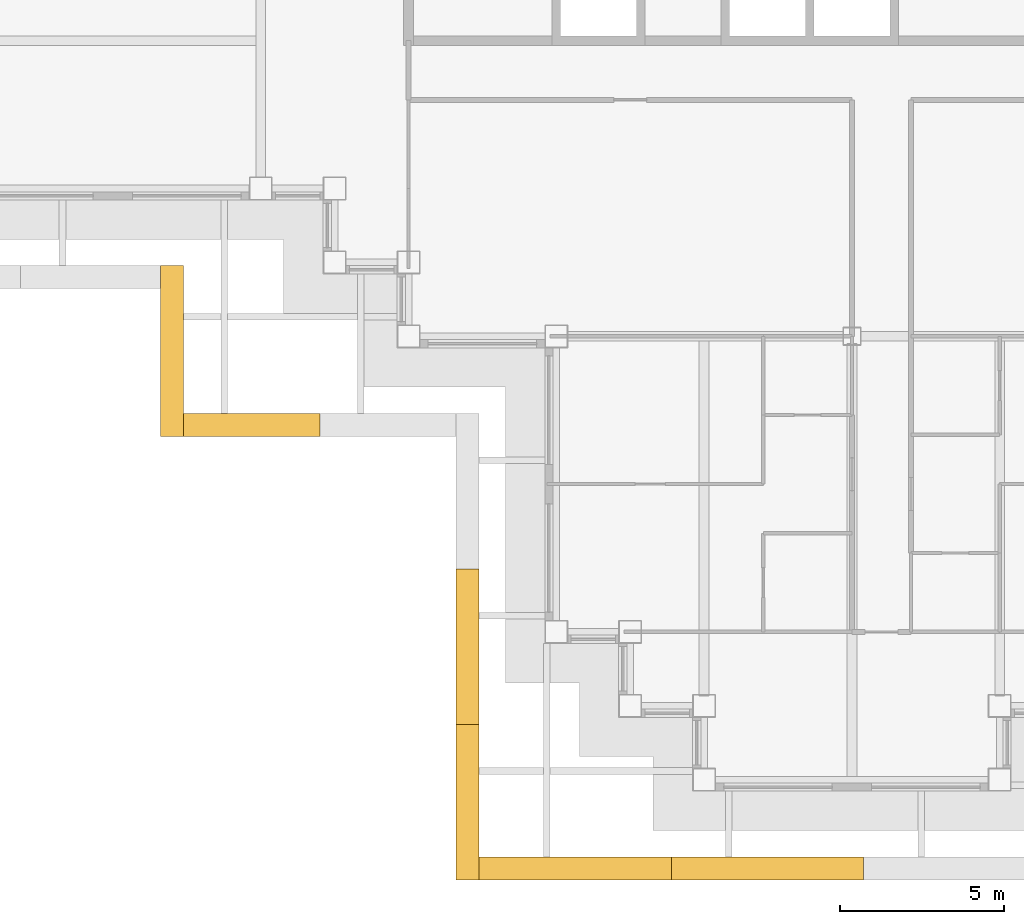
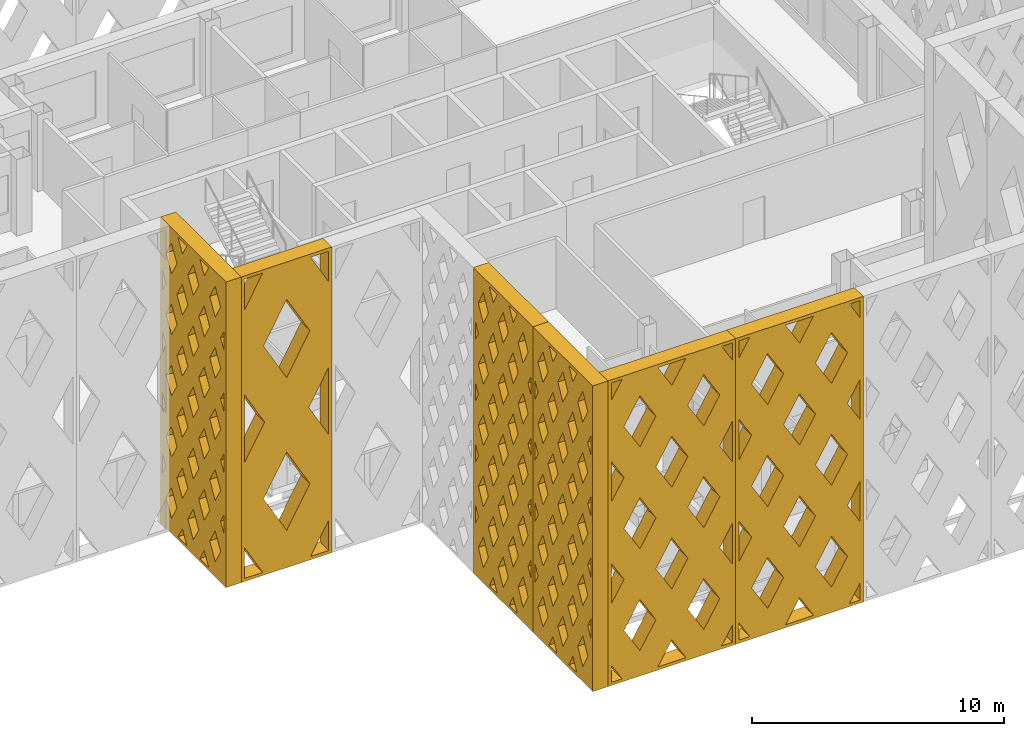
# One storey, part 10 of 16: 6 shading devices.
"""IFC4 building model written with IfcOpenShell, lengths in metres."""

from ifc_helpers import new_model, si_unit, direction, frame, origin, place, context, subcontext, project, spatial, polyline, outline, extrude, material, type_object, element, save


model = new_model("IFC4")

# Units and contexts
model_context = context("Model", 3, precision=1e-05, world=origin(), true_north=direction((0.0, 1.0)))
body_context = subcontext(model_context, "Body", "Model", "MODEL_VIEW")
ifc_project = project(units=[si_unit("LENGTHUNIT", "METRE"), si_unit("AREAUNIT", "SQUARE_METRE"), si_unit("VOLUMEUNIT", "CUBIC_METRE"), si_unit("PLANEANGLEUNIT", "RADIAN"), si_unit("MASSUNIT", "GRAM", prefix="KILO")], contexts=[model_context])

# Site, building, storey
site_placement = place(None, origin())
site = spatial("IfcSite", under=ifc_project, at=site_placement, CompositionType="ELEMENT")
building_placement = place(site_placement, origin())
building = spatial("IfcBuilding", under=site, at=building_placement, Name="Caravel Reach Hotel and Residences", CompositionType="ELEMENT")
storey_placement = place(building_placement, frame((0.0, 0.0, 207.199951171875)))
storey = spatial("IfcBuildingStorey", under=building, at=storey_placement, Name="L52", CompositionType="ELEMENT", Elevation=207.199951171875)

# Shading devices
ifc_material_1 = material(Name="Black powder-coated aluminium", Category="aluminium")
shading_device_type_1 = type_object("IfcShadingDeviceType", Name="Diamond lattice screen panel 4150 x 14800", PredefinedType="USERDEFINED", material=ifc_material_1)
shading_device_1_placement = place(storey_placement, frame((11.14990234375, 11.14990234375, 0.0), z_axis=(0.0, -1.0, 0.0), x_axis=(1.0, 0.0, 0.0)))
element("IfcShadingDevice", 1, at=shading_device_1_placement, inside=storey, type_object=shading_device_type_1, Name="Lattice screen L52-L55 10.1", ObjectType="SCREEN", PredefinedType="USERDEFINED", context=body_context, shape_type="SweptSolid", body=[
    extrude(outline(polyline([(0.0, 0.0), (4.14990234375, 0.0), (4.14990234375, 14.800048828125), (0.0, 14.800048828125), (0.0, 0.0)]), holes=[polyline([(0.97998046875, 0.14990234375), (0.14990234375, 1.6298828125), (0.14990234375, 0.14990234375), (0.97998046875, 0.14990234375)]), polyline([(1.06396484375, 7.39990234375), (0.14990234375, 9.030029296875), (0.14990234375, 5.77001953125), (1.06396484375, 7.39990234375)]), polyline([(0.14990234375, 13.170166015625), (0.97998046875, 14.64990234375), (0.14990234375, 14.64990234375), (0.14990234375, 13.170166015625)]), polyline([(2.074951171875, 5.597412109375), (1.010986328125, 3.699951171875), (2.074951171875, 1.802490234375), (3.13916015625, 3.699951171875), (2.074951171875, 5.597412109375)]), polyline([(2.074951171875, 12.997314453125), (1.010986328125, 11.10009765625), (2.074951171875, 9.20263671875), (3.13916015625, 11.10009765625), (2.074951171875, 12.997314453125)]), polyline([(4.0, 1.6298828125), (3.169921875, 0.14990234375), (4.0, 0.14990234375), (4.0, 1.6298828125)]), polyline([(3.0859375, 7.39990234375), (4.0, 5.77001953125), (4.0, 9.030029296875), (3.0859375, 7.39990234375)]), polyline([(3.169921875, 14.64990234375), (4.0, 13.170166015625), (4.0, 14.64990234375), (3.169921875, 14.64990234375)])]), origin(), (0.0, 0.0, 1.0), 0.699951171875),
])
ifc_material_2 = material(Name="Black powder-coated aluminium", Category="aluminium")
shading_device_type_2 = type_object("IfcShadingDeviceType", Name="Diamond lattice screen panel 4733 x 14800", PredefinedType="USERDEFINED", material=ifc_material_2)
shading_device_2_placement = place(storey_placement, frame((20.14990234375, 6.416748046875, 0.0), z_axis=(-1.0, 0.0, 0.0), x_axis=(0.0, -1.0, 0.0)))
element("IfcShadingDevice", 2, at=shading_device_2_placement, inside=storey, type_object=shading_device_type_2, Name="Lattice screen L52-L55 11.2", ObjectType="SCREEN", PredefinedType="USERDEFINED", context=body_context, shape_type="SweptSolid", body=[
    extrude(outline(polyline([(0.0, 0.0), (4.7333984375, 0.0), (4.7333984375, 14.800048828125), (0.0, 14.800048828125), (0.0, 0.0)]), holes=[polyline([(0.398681640625, 2.9599609375), (0.14990234375, 3.4267578125), (0.14990234375, 2.493408203125), (0.398681640625, 2.9599609375)]), polyline([(0.398681640625, 5.919921875), (0.14990234375, 6.38671875), (0.14990234375, 5.453369140625), (0.398681640625, 5.919921875)]), polyline([(0.398681640625, 8.8798828125), (0.14990234375, 9.3466796875), (0.14990234375, 8.413330078125), (0.398681640625, 8.8798828125)]), polyline([(0.398681640625, 11.840087890625), (0.14990234375, 12.306640625), (0.14990234375, 11.373291015625), (0.398681640625, 11.840087890625)]), polyline([(0.788818359375, 2.22802734375), (0.39013671875, 1.47998046875), (0.788818359375, 0.73193359375), (1.187744140625, 1.47998046875), (0.788818359375, 2.22802734375)]), polyline([(0.788818359375, 5.18798828125), (0.39013671875, 4.43994140625), (0.788818359375, 3.69189453125), (1.187744140625, 4.43994140625), (0.788818359375, 5.18798828125)]), polyline([(0.788818359375, 8.14794921875), (0.39013671875, 7.39990234375), (0.788818359375, 6.65185546875), (1.187744140625, 7.39990234375), (0.788818359375, 8.14794921875)]), polyline([(0.788818359375, 11.108154296875), (0.39013671875, 10.360107421875), (0.788818359375, 9.612060546875), (1.187744140625, 10.360107421875), (0.788818359375, 11.108154296875)]), polyline([(0.788818359375, 14.068115234375), (0.39013671875, 13.320068359375), (0.788818359375, 12.572021484375), (1.187744140625, 13.320068359375), (0.788818359375, 14.068115234375)]), polyline([(1.577880859375, 0.748046875), (1.259033203125, 0.14990234375), (1.896484375, 0.14990234375), (1.577880859375, 0.748046875)]), polyline([(1.577880859375, 3.7080078125), (1.178955078125, 2.9599609375), (1.577880859375, 2.2119140625), (1.9765625, 2.9599609375), (1.577880859375, 3.7080078125)]), polyline([(1.577880859375, 6.66796875), (1.178955078125, 5.919921875), (1.577880859375, 5.171875), (1.9765625, 5.919921875), (1.577880859375, 6.66796875)]), polyline([(1.577880859375, 9.6279296875), (1.178955078125, 8.8798828125), (1.577880859375, 8.1318359375), (1.9765625, 8.8798828125), (1.577880859375, 9.6279296875)]), polyline([(1.577880859375, 12.588134765625), (1.178955078125, 11.840087890625), (1.577880859375, 11.092041015625), (1.9765625, 11.840087890625), (1.577880859375, 12.588134765625)]), polyline([(1.577880859375, 14.052001953125), (1.896484375, 14.64990234375), (1.259033203125, 14.64990234375), (1.577880859375, 14.052001953125)]), polyline([(2.36669921875, 2.22802734375), (1.968017578125, 1.47998046875), (2.36669921875, 0.73193359375), (2.765380859375, 1.47998046875), (2.36669921875, 2.22802734375)]), polyline([(2.36669921875, 5.18798828125), (1.968017578125, 4.43994140625), (2.36669921875, 3.69189453125), (2.765380859375, 4.43994140625), (2.36669921875, 5.18798828125)]), polyline([(2.36669921875, 8.14794921875), (1.968017578125, 7.39990234375), (2.36669921875, 6.65185546875), (2.765380859375, 7.39990234375), (2.36669921875, 8.14794921875)]), polyline([(2.36669921875, 11.108154296875), (1.968017578125, 10.360107421875), (2.36669921875, 9.612060546875), (2.765380859375, 10.360107421875), (2.36669921875, 11.108154296875)]), polyline([(2.36669921875, 14.068115234375), (1.968017578125, 13.320068359375), (2.36669921875, 12.572021484375), (2.765380859375, 13.320068359375), (2.36669921875, 14.068115234375)]), polyline([(3.155517578125, 0.748046875), (2.836669921875, 0.14990234375), (3.474365234375, 0.14990234375), (3.155517578125, 0.748046875)]), polyline([(3.155517578125, 3.7080078125), (2.7568359375, 2.9599609375), (3.155517578125, 2.2119140625), (3.55419921875, 2.9599609375), (3.155517578125, 3.7080078125)]), polyline([(3.155517578125, 6.66796875), (2.7568359375, 5.919921875), (3.155517578125, 5.171875), (3.55419921875, 5.919921875), (3.155517578125, 6.66796875)]), polyline([(3.155517578125, 9.6279296875), (2.7568359375, 8.8798828125), (3.155517578125, 8.1318359375), (3.55419921875, 8.8798828125), (3.155517578125, 9.6279296875)]), polyline([(3.155517578125, 12.588134765625), (2.7568359375, 11.840087890625), (3.155517578125, 11.092041015625), (3.55419921875, 11.840087890625), (3.155517578125, 12.588134765625)]), polyline([(3.155517578125, 14.052001953125), (3.474365234375, 14.64990234375), (2.836669921875, 14.64990234375), (3.155517578125, 14.052001953125)]), polyline([(3.9443359375, 2.22802734375), (3.545654296875, 1.47998046875), (3.9443359375, 0.73193359375), (4.34326171875, 1.47998046875), (3.9443359375, 2.22802734375)]), polyline([(3.9443359375, 5.18798828125), (3.545654296875, 4.43994140625), (3.9443359375, 3.69189453125), (4.34326171875, 4.43994140625), (3.9443359375, 5.18798828125)]), polyline([(3.9443359375, 8.14794921875), (3.545654296875, 7.39990234375), (3.9443359375, 6.65185546875), (4.34326171875, 7.39990234375), (3.9443359375, 8.14794921875)]), polyline([(3.9443359375, 11.108154296875), (3.545654296875, 10.360107421875), (3.9443359375, 9.612060546875), (4.34326171875, 10.360107421875), (3.9443359375, 11.108154296875)]), polyline([(3.9443359375, 14.068115234375), (3.545654296875, 13.320068359375), (3.9443359375, 12.572021484375), (4.34326171875, 13.320068359375), (3.9443359375, 14.068115234375)]), polyline([(4.334716796875, 2.9599609375), (4.583251953125, 2.493408203125), (4.583251953125, 3.4267578125), (4.334716796875, 2.9599609375)]), polyline([(4.334716796875, 5.919921875), (4.583251953125, 5.453369140625), (4.583251953125, 6.38671875), (4.334716796875, 5.919921875)]), polyline([(4.334716796875, 8.8798828125), (4.583251953125, 8.413330078125), (4.583251953125, 9.3466796875), (4.334716796875, 8.8798828125)]), polyline([(4.334716796875, 11.840087890625), (4.583251953125, 11.373291015625), (4.583251953125, 12.306640625), (4.334716796875, 11.840087890625)])]), origin(), (0.0, 0.0, 1.0), 0.699951171875),
])
shading_device_3_placement = place(storey_placement, frame((20.14990234375, 1.683349609375, 0.0), z_axis=(-1.0, 0.0, 0.0), x_axis=(0.0, -1.0, 0.0)))
element("IfcShadingDevice", 3, at=shading_device_3_placement, inside=storey, type_object=shading_device_type_2, Name="Lattice screen L52-L55 11.3", ObjectType="SCREEN", PredefinedType="USERDEFINED", context=body_context, shape_type="SweptSolid", body=[
    extrude(outline(polyline([(0.0, 0.0), (4.7333984375, 0.0), (4.7333984375, 14.800048828125), (0.0, 14.800048828125), (0.0, 0.0)]), holes=[polyline([(0.398681640625, 2.9599609375), (0.14990234375, 3.4267578125), (0.14990234375, 2.493408203125), (0.398681640625, 2.9599609375)]), polyline([(0.398681640625, 5.919921875), (0.14990234375, 6.38671875), (0.14990234375, 5.453369140625), (0.398681640625, 5.919921875)]), polyline([(0.398681640625, 8.8798828125), (0.14990234375, 9.3466796875), (0.14990234375, 8.413330078125), (0.398681640625, 8.8798828125)]), polyline([(0.398681640625, 11.840087890625), (0.14990234375, 12.306640625), (0.14990234375, 11.373291015625), (0.398681640625, 11.840087890625)]), polyline([(0.788818359375, 2.22802734375), (0.39013671875, 1.47998046875), (0.788818359375, 0.73193359375), (1.187744140625, 1.47998046875), (0.788818359375, 2.22802734375)]), polyline([(0.788818359375, 5.18798828125), (0.39013671875, 4.43994140625), (0.788818359375, 3.69189453125), (1.187744140625, 4.43994140625), (0.788818359375, 5.18798828125)]), polyline([(0.788818359375, 8.14794921875), (0.39013671875, 7.39990234375), (0.788818359375, 6.65185546875), (1.187744140625, 7.39990234375), (0.788818359375, 8.14794921875)]), polyline([(0.788818359375, 11.108154296875), (0.39013671875, 10.360107421875), (0.788818359375, 9.612060546875), (1.187744140625, 10.360107421875), (0.788818359375, 11.108154296875)]), polyline([(0.788818359375, 14.068115234375), (0.39013671875, 13.320068359375), (0.788818359375, 12.572021484375), (1.187744140625, 13.320068359375), (0.788818359375, 14.068115234375)]), polyline([(1.577880859375, 0.748046875), (1.259033203125, 0.14990234375), (1.896484375, 0.14990234375), (1.577880859375, 0.748046875)]), polyline([(1.577880859375, 3.7080078125), (1.178955078125, 2.9599609375), (1.577880859375, 2.2119140625), (1.9765625, 2.9599609375), (1.577880859375, 3.7080078125)]), polyline([(1.577880859375, 6.66796875), (1.178955078125, 5.919921875), (1.577880859375, 5.171875), (1.9765625, 5.919921875), (1.577880859375, 6.66796875)]), polyline([(1.577880859375, 9.6279296875), (1.178955078125, 8.8798828125), (1.577880859375, 8.1318359375), (1.9765625, 8.8798828125), (1.577880859375, 9.6279296875)]), polyline([(1.577880859375, 12.588134765625), (1.178955078125, 11.840087890625), (1.577880859375, 11.092041015625), (1.9765625, 11.840087890625), (1.577880859375, 12.588134765625)]), polyline([(1.577880859375, 14.052001953125), (1.896484375, 14.64990234375), (1.259033203125, 14.64990234375), (1.577880859375, 14.052001953125)]), polyline([(2.36669921875, 2.22802734375), (1.968017578125, 1.47998046875), (2.36669921875, 0.73193359375), (2.765380859375, 1.47998046875), (2.36669921875, 2.22802734375)]), polyline([(2.36669921875, 5.18798828125), (1.968017578125, 4.43994140625), (2.36669921875, 3.69189453125), (2.765380859375, 4.43994140625), (2.36669921875, 5.18798828125)]), polyline([(2.36669921875, 8.14794921875), (1.968017578125, 7.39990234375), (2.36669921875, 6.65185546875), (2.765380859375, 7.39990234375), (2.36669921875, 8.14794921875)]), polyline([(2.36669921875, 11.108154296875), (1.968017578125, 10.360107421875), (2.36669921875, 9.612060546875), (2.765380859375, 10.360107421875), (2.36669921875, 11.108154296875)]), polyline([(2.36669921875, 14.068115234375), (1.968017578125, 13.320068359375), (2.36669921875, 12.572021484375), (2.765380859375, 13.320068359375), (2.36669921875, 14.068115234375)]), polyline([(3.155517578125, 0.748046875), (2.836669921875, 0.14990234375), (3.474365234375, 0.14990234375), (3.155517578125, 0.748046875)]), polyline([(3.155517578125, 3.7080078125), (2.7568359375, 2.9599609375), (3.155517578125, 2.2119140625), (3.55419921875, 2.9599609375), (3.155517578125, 3.7080078125)]), polyline([(3.155517578125, 6.66796875), (2.7568359375, 5.919921875), (3.155517578125, 5.171875), (3.55419921875, 5.919921875), (3.155517578125, 6.66796875)]), polyline([(3.155517578125, 9.6279296875), (2.7568359375, 8.8798828125), (3.155517578125, 8.1318359375), (3.55419921875, 8.8798828125), (3.155517578125, 9.6279296875)]), polyline([(3.155517578125, 12.588134765625), (2.7568359375, 11.840087890625), (3.155517578125, 11.092041015625), (3.55419921875, 11.840087890625), (3.155517578125, 12.588134765625)]), polyline([(3.155517578125, 14.052001953125), (3.474365234375, 14.64990234375), (2.836669921875, 14.64990234375), (3.155517578125, 14.052001953125)]), polyline([(3.9443359375, 2.22802734375), (3.545654296875, 1.47998046875), (3.9443359375, 0.73193359375), (4.34326171875, 1.47998046875), (3.9443359375, 2.22802734375)]), polyline([(3.9443359375, 5.18798828125), (3.545654296875, 4.43994140625), (3.9443359375, 3.69189453125), (4.34326171875, 4.43994140625), (3.9443359375, 5.18798828125)]), polyline([(3.9443359375, 8.14794921875), (3.545654296875, 7.39990234375), (3.9443359375, 6.65185546875), (4.34326171875, 7.39990234375), (3.9443359375, 8.14794921875)]), polyline([(3.9443359375, 11.108154296875), (3.545654296875, 10.360107421875), (3.9443359375, 9.612060546875), (4.34326171875, 10.360107421875), (3.9443359375, 11.108154296875)]), polyline([(3.9443359375, 14.068115234375), (3.545654296875, 13.320068359375), (3.9443359375, 12.572021484375), (4.34326171875, 13.320068359375), (3.9443359375, 14.068115234375)]), polyline([(4.334716796875, 2.9599609375), (4.583251953125, 2.493408203125), (4.583251953125, 3.4267578125), (4.334716796875, 2.9599609375)]), polyline([(4.334716796875, 5.919921875), (4.583251953125, 5.453369140625), (4.583251953125, 6.38671875), (4.334716796875, 5.919921875)]), polyline([(4.334716796875, 8.8798828125), (4.583251953125, 8.413330078125), (4.583251953125, 9.3466796875), (4.334716796875, 8.8798828125)]), polyline([(4.334716796875, 11.840087890625), (4.583251953125, 11.373291015625), (4.583251953125, 12.306640625), (4.334716796875, 11.840087890625)])]), origin(), (0.0, 0.0, 1.0), 0.699951171875),
])
ifc_material_3 = material(Name="Black powder-coated aluminium", Category="aluminium")
shading_device_type_3 = type_object("IfcShadingDeviceType", Name="Diamond lattice screen panel 5200 x 14800", PredefinedType="USERDEFINED", material=ifc_material_3)
shading_device_4_placement = place(storey_placement, frame((11.14990234375, 15.64990234375, 0.0), z_axis=(-1.0, 0.0, 0.0), x_axis=(0.0, -1.0, 0.0)))
element("IfcShadingDevice", 4, at=shading_device_4_placement, inside=storey, type_object=shading_device_type_3, Name="Lattice screen L52-L55 9.1", ObjectType="SCREEN", PredefinedType="USERDEFINED", context=body_context, shape_type="SweptSolid", body=[
    extrude(outline(polyline([(0.0, 0.0), (5.199951171875, 0.0), (5.199951171875, 14.800048828125), (0.0, 14.800048828125), (0.0, 0.0)]), holes=[polyline([(0.436767578125, 2.9599609375), (0.14990234375, 3.449462890625), (0.14990234375, 2.470458984375), (0.436767578125, 2.9599609375)]), polyline([(0.436767578125, 5.919921875), (0.14990234375, 6.409423828125), (0.14990234375, 5.430419921875), (0.436767578125, 5.919921875)]), polyline([(0.436767578125, 8.8798828125), (0.14990234375, 9.36962890625), (0.14990234375, 8.390380859375), (0.436767578125, 8.8798828125)]), polyline([(0.436767578125, 11.840087890625), (0.14990234375, 12.32958984375), (0.14990234375, 11.3505859375), (0.436767578125, 11.840087890625)]), polyline([(0.86669921875, 2.2255859375), (0.429931640625, 1.47998046875), (0.86669921875, 0.734375), (1.30322265625, 1.47998046875), (0.86669921875, 2.2255859375)]), polyline([(0.86669921875, 5.185791015625), (0.429931640625, 4.43994140625), (0.86669921875, 3.6943359375), (1.30322265625, 4.43994140625), (0.86669921875, 5.185791015625)]), polyline([(0.86669921875, 8.145751953125), (0.429931640625, 7.39990234375), (0.86669921875, 6.654296875), (1.30322265625, 7.39990234375), (0.86669921875, 8.145751953125)]), polyline([(0.86669921875, 11.105712890625), (0.429931640625, 10.360107421875), (0.86669921875, 9.6142578125), (1.30322265625, 10.360107421875), (0.86669921875, 11.105712890625)]), polyline([(0.86669921875, 14.065673828125), (0.429931640625, 13.320068359375), (0.86669921875, 12.57421875), (1.30322265625, 13.320068359375), (0.86669921875, 14.065673828125)]), polyline([(1.7333984375, 0.74560546875), (1.384521484375, 0.14990234375), (2.08203125, 0.14990234375), (1.7333984375, 0.74560546875)]), polyline([(1.7333984375, 3.70556640625), (1.296630859375, 2.9599609375), (1.7333984375, 2.21435546875), (2.169921875, 2.9599609375), (1.7333984375, 3.70556640625)]), polyline([(1.7333984375, 6.665771484375), (1.296630859375, 5.919921875), (1.7333984375, 5.17431640625), (2.169921875, 5.919921875), (1.7333984375, 6.665771484375)]), polyline([(1.7333984375, 9.625732421875), (1.296630859375, 8.8798828125), (1.7333984375, 8.13427734375), (2.169921875, 8.8798828125), (1.7333984375, 9.625732421875)]), polyline([(1.7333984375, 12.585693359375), (1.296630859375, 11.840087890625), (1.7333984375, 11.09423828125), (2.169921875, 11.840087890625), (1.7333984375, 12.585693359375)]), polyline([(1.7333984375, 14.054443359375), (2.08203125, 14.64990234375), (1.384521484375, 14.64990234375), (1.7333984375, 14.054443359375)]), polyline([(2.60009765625, 2.2255859375), (2.163330078125, 1.47998046875), (2.60009765625, 0.734375), (3.03662109375, 1.47998046875), (2.60009765625, 2.2255859375)]), polyline([(2.60009765625, 5.185791015625), (2.163330078125, 4.43994140625), (2.60009765625, 3.6943359375), (3.03662109375, 4.43994140625), (2.60009765625, 5.185791015625)]), polyline([(2.60009765625, 8.145751953125), (2.163330078125, 7.39990234375), (2.60009765625, 6.654296875), (3.03662109375, 7.39990234375), (2.60009765625, 8.145751953125)]), polyline([(2.60009765625, 11.105712890625), (2.163330078125, 10.360107421875), (2.60009765625, 9.6142578125), (3.03662109375, 10.360107421875), (2.60009765625, 11.105712890625)]), polyline([(2.60009765625, 14.065673828125), (2.163330078125, 13.320068359375), (2.60009765625, 12.57421875), (3.03662109375, 13.320068359375), (2.60009765625, 14.065673828125)]), polyline([(3.466552734375, 0.74560546875), (3.117919921875, 0.14990234375), (3.8154296875, 0.14990234375), (3.466552734375, 0.74560546875)]), polyline([(3.466552734375, 3.70556640625), (3.030029296875, 2.9599609375), (3.466552734375, 2.21435546875), (3.9033203125, 2.9599609375), (3.466552734375, 3.70556640625)]), polyline([(3.466552734375, 6.665771484375), (3.030029296875, 5.919921875), (3.466552734375, 5.17431640625), (3.9033203125, 5.919921875), (3.466552734375, 6.665771484375)]), polyline([(3.466552734375, 9.625732421875), (3.030029296875, 8.8798828125), (3.466552734375, 8.13427734375), (3.9033203125, 8.8798828125), (3.466552734375, 9.625732421875)]), polyline([(3.466552734375, 12.585693359375), (3.030029296875, 11.840087890625), (3.466552734375, 11.09423828125), (3.9033203125, 11.840087890625), (3.466552734375, 12.585693359375)]), polyline([(3.466552734375, 14.054443359375), (3.8154296875, 14.64990234375), (3.117919921875, 14.64990234375), (3.466552734375, 14.054443359375)]), polyline([(4.333251953125, 2.2255859375), (3.896728515625, 1.47998046875), (4.333251953125, 0.734375), (4.77001953125, 1.47998046875), (4.333251953125, 2.2255859375)]), polyline([(4.333251953125, 5.185791015625), (3.896728515625, 4.43994140625), (4.333251953125, 3.6943359375), (4.77001953125, 4.43994140625), (4.333251953125, 5.185791015625)]), polyline([(4.333251953125, 8.145751953125), (3.896728515625, 7.39990234375), (4.333251953125, 6.654296875), (4.77001953125, 7.39990234375), (4.333251953125, 8.145751953125)]), polyline([(4.333251953125, 11.105712890625), (3.896728515625, 10.360107421875), (4.333251953125, 9.6142578125), (4.77001953125, 10.360107421875), (4.333251953125, 11.105712890625)]), polyline([(4.333251953125, 14.065673828125), (3.896728515625, 13.320068359375), (4.333251953125, 12.57421875), (4.77001953125, 13.320068359375), (4.333251953125, 14.065673828125)]), polyline([(4.763427734375, 2.9599609375), (5.050048828125, 2.470458984375), (5.050048828125, 3.449462890625), (4.763427734375, 2.9599609375)]), polyline([(4.763427734375, 5.919921875), (5.050048828125, 5.430419921875), (5.050048828125, 6.409423828125), (4.763427734375, 5.919921875)]), polyline([(4.763427734375, 8.8798828125), (5.050048828125, 8.390380859375), (5.050048828125, 9.36962890625), (4.763427734375, 8.8798828125)]), polyline([(4.763427734375, 11.840087890625), (5.050048828125, 11.3505859375), (5.050048828125, 12.32958984375), (4.763427734375, 11.840087890625)])]), origin(), (0.0, 0.0, 1.0), 0.699951171875),
])
ifc_material_4 = material(Name="Black powder-coated aluminium", Category="aluminium")
shading_device_type_4 = type_object("IfcShadingDeviceType", Name="Diamond lattice screen panel 5850 x 14800", PredefinedType="USERDEFINED", material=ifc_material_4)
shading_device_5_placement = place(storey_placement, frame((20.14990234375, -2.35009765625, 0.0), z_axis=(0.0, -1.0, 0.0), x_axis=(1.0, 0.0, 0.0)))
element("IfcShadingDevice", 5, at=shading_device_5_placement, inside=storey, type_object=shading_device_type_4, Name="Lattice screen L52-L55 12.1", ObjectType="SCREEN", PredefinedType="USERDEFINED", context=body_context, shape_type="SweptSolid", body=[
    extrude(outline(polyline([(0.0, 0.0), (5.85009765625, 0.0), (5.85009765625, 14.800048828125), (0.0, 14.800048828125), (0.0, 0.0)]), holes=[polyline([(0.644775390625, 0.14990234375), (0.14990234375, 0.984375), (0.14990234375, 0.14990234375), (0.644775390625, 0.14990234375)]), polyline([(0.733642578125, 4.933349609375), (0.14990234375, 5.917724609375), (0.14990234375, 3.948974609375), (0.733642578125, 4.933349609375)]), polyline([(0.733642578125, 9.86669921875), (0.14990234375, 10.85107421875), (0.14990234375, 8.88232421875), (0.733642578125, 9.86669921875)]), polyline([(0.14990234375, 13.815673828125), (0.644775390625, 14.64990234375), (0.14990234375, 14.64990234375), (0.14990234375, 13.815673828125)]), polyline([(1.46240234375, 3.703857421875), (0.72900390625, 2.466552734375), (1.46240234375, 1.2294921875), (2.196044921875, 2.466552734375), (1.46240234375, 3.703857421875)]), polyline([(1.46240234375, 8.63720703125), (0.72900390625, 7.39990234375), (1.46240234375, 6.16259765625), (2.196044921875, 7.39990234375), (1.46240234375, 8.63720703125)]), polyline([(1.46240234375, 13.570556640625), (0.72900390625, 12.333251953125), (1.46240234375, 11.095947265625), (2.196044921875, 12.333251953125), (1.46240234375, 13.570556640625)]), polyline([(2.925048828125, 1.2373046875), (2.2802734375, 0.14990234375), (3.569580078125, 0.14990234375), (2.925048828125, 1.2373046875)]), polyline([(2.925048828125, 6.170654296875), (2.19140625, 4.933349609375), (2.925048828125, 3.696044921875), (3.65869140625, 4.933349609375), (2.925048828125, 6.170654296875)]), polyline([(2.925048828125, 11.10400390625), (2.19140625, 9.86669921875), (2.925048828125, 8.62939453125), (3.65869140625, 9.86669921875), (2.925048828125, 11.10400390625)]), polyline([(2.925048828125, 13.562744140625), (3.569580078125, 14.64990234375), (2.2802734375, 14.64990234375), (2.925048828125, 13.562744140625)]), polyline([(4.387451171875, 3.703857421875), (3.65380859375, 2.466552734375), (4.387451171875, 1.2294921875), (5.12109375, 2.466552734375), (4.387451171875, 3.703857421875)]), polyline([(4.387451171875, 8.63720703125), (3.65380859375, 7.39990234375), (4.387451171875, 6.16259765625), (5.12109375, 7.39990234375), (4.387451171875, 8.63720703125)]), polyline([(4.387451171875, 13.570556640625), (3.65380859375, 12.333251953125), (4.387451171875, 11.095947265625), (5.12109375, 12.333251953125), (4.387451171875, 13.570556640625)]), polyline([(5.699951171875, 0.984375), (5.205322265625, 0.14990234375), (5.699951171875, 0.14990234375), (5.699951171875, 0.984375)]), polyline([(5.116455078125, 4.933349609375), (5.699951171875, 3.948974609375), (5.699951171875, 5.917724609375), (5.116455078125, 4.933349609375)]), polyline([(5.116455078125, 9.86669921875), (5.699951171875, 8.88232421875), (5.699951171875, 10.85107421875), (5.116455078125, 9.86669921875)]), polyline([(5.205322265625, 14.64990234375), (5.699951171875, 13.815673828125), (5.699951171875, 14.64990234375), (5.205322265625, 14.64990234375)])]), origin(), (0.0, 0.0, 1.0), 0.699951171875),
])
shading_device_6_placement = place(storey_placement, frame((26.0, -2.35009765625, 0.0), z_axis=(0.0, -1.0, 0.0), x_axis=(1.0, 0.0, 0.0)))
element("IfcShadingDevice", 6, at=shading_device_6_placement, inside=storey, type_object=shading_device_type_4, Name="Lattice screen L52-L55 12.2", ObjectType="SCREEN", PredefinedType="USERDEFINED", context=body_context, shape_type="SweptSolid", body=[
    extrude(outline(polyline([(0.0, 0.0), (5.85009765625, 0.0), (5.85009765625, 14.800048828125), (0.0, 14.800048828125), (0.0, 0.0)]), holes=[polyline([(0.644775390625, 0.14990234375), (0.14990234375, 0.984375), (0.14990234375, 0.14990234375), (0.644775390625, 0.14990234375)]), polyline([(0.733642578125, 4.933349609375), (0.14990234375, 5.917724609375), (0.14990234375, 3.948974609375), (0.733642578125, 4.933349609375)]), polyline([(0.733642578125, 9.86669921875), (0.14990234375, 10.85107421875), (0.14990234375, 8.88232421875), (0.733642578125, 9.86669921875)]), polyline([(0.14990234375, 13.815673828125), (0.644775390625, 14.64990234375), (0.14990234375, 14.64990234375), (0.14990234375, 13.815673828125)]), polyline([(1.46240234375, 3.703857421875), (0.72900390625, 2.466552734375), (1.46240234375, 1.2294921875), (2.196044921875, 2.466552734375), (1.46240234375, 3.703857421875)]), polyline([(1.46240234375, 8.63720703125), (0.72900390625, 7.39990234375), (1.46240234375, 6.16259765625), (2.196044921875, 7.39990234375), (1.46240234375, 8.63720703125)]), polyline([(1.46240234375, 13.570556640625), (0.72900390625, 12.333251953125), (1.46240234375, 11.095947265625), (2.196044921875, 12.333251953125), (1.46240234375, 13.570556640625)]), polyline([(2.925048828125, 1.2373046875), (2.2802734375, 0.14990234375), (3.569580078125, 0.14990234375), (2.925048828125, 1.2373046875)]), polyline([(2.925048828125, 6.170654296875), (2.19140625, 4.933349609375), (2.925048828125, 3.696044921875), (3.65869140625, 4.933349609375), (2.925048828125, 6.170654296875)]), polyline([(2.925048828125, 11.10400390625), (2.19140625, 9.86669921875), (2.925048828125, 8.62939453125), (3.65869140625, 9.86669921875), (2.925048828125, 11.10400390625)]), polyline([(2.925048828125, 13.562744140625), (3.569580078125, 14.64990234375), (2.2802734375, 14.64990234375), (2.925048828125, 13.562744140625)]), polyline([(4.387451171875, 3.703857421875), (3.65380859375, 2.466552734375), (4.387451171875, 1.2294921875), (5.12109375, 2.466552734375), (4.387451171875, 3.703857421875)]), polyline([(4.387451171875, 8.63720703125), (3.65380859375, 7.39990234375), (4.387451171875, 6.16259765625), (5.12109375, 7.39990234375), (4.387451171875, 8.63720703125)]), polyline([(4.387451171875, 13.570556640625), (3.65380859375, 12.333251953125), (4.387451171875, 11.095947265625), (5.12109375, 12.333251953125), (4.387451171875, 13.570556640625)]), polyline([(5.699951171875, 0.984375), (5.205322265625, 0.14990234375), (5.699951171875, 0.14990234375), (5.699951171875, 0.984375)]), polyline([(5.116455078125, 4.933349609375), (5.699951171875, 3.948974609375), (5.699951171875, 5.917724609375), (5.116455078125, 4.933349609375)]), polyline([(5.116455078125, 9.86669921875), (5.699951171875, 8.88232421875), (5.699951171875, 10.85107421875), (5.116455078125, 9.86669921875)]), polyline([(5.205322265625, 14.64990234375), (5.699951171875, 13.815673828125), (5.699951171875, 14.64990234375), (5.205322265625, 14.64990234375)])]), origin(), (0.0, 0.0, 1.0), 0.699951171875),
])

save(model, "model.ifc")
